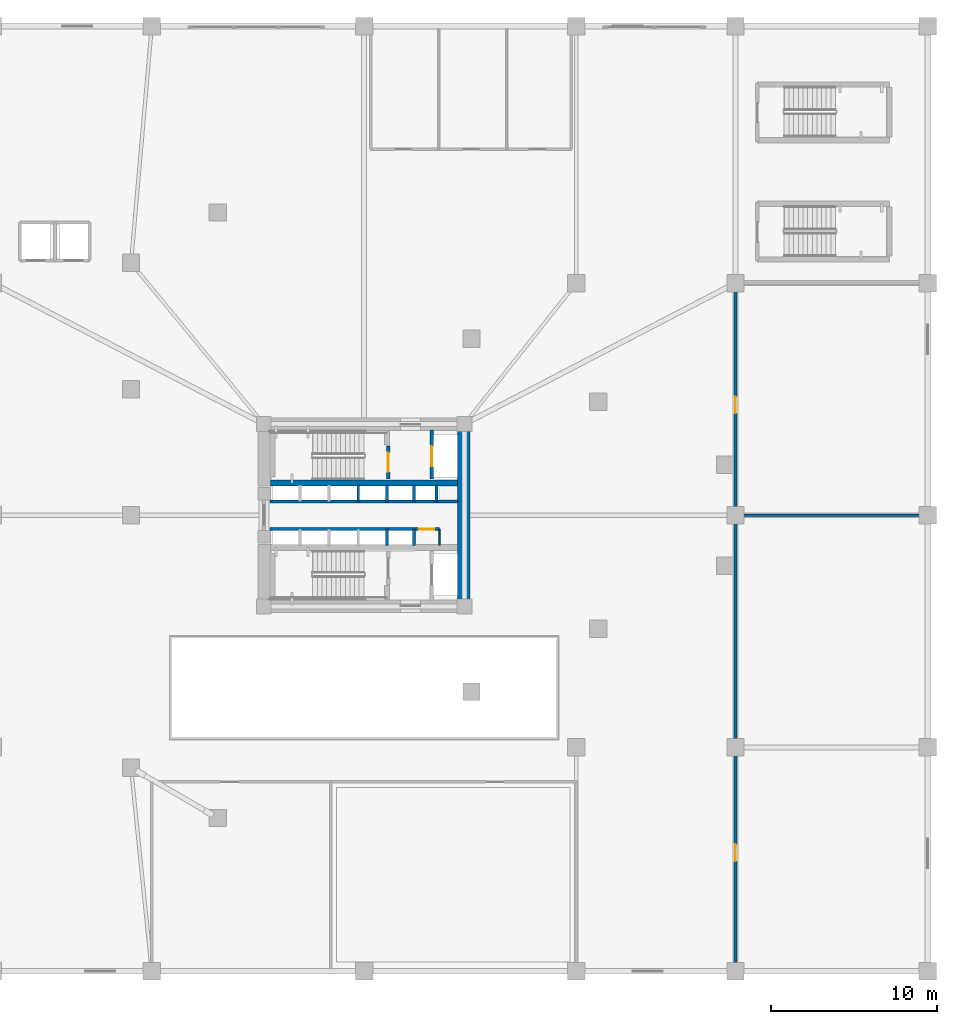
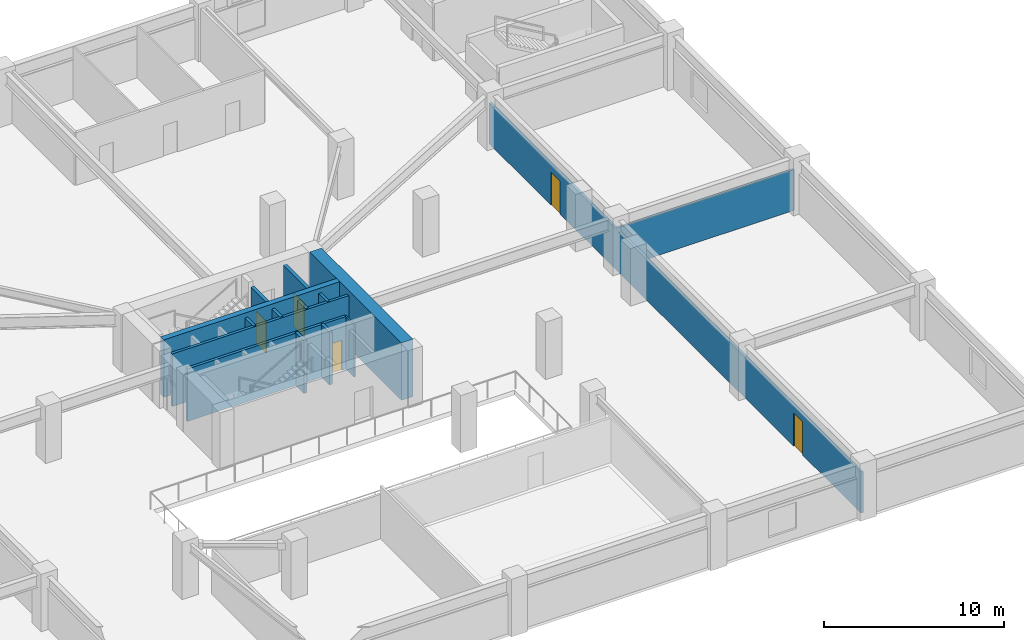
# One storey, part 5 of 16: 15 walls, 5 doors, 5 openings.
"""IFC4 building model written with IfcOpenShell, lengths in metres."""

import ifcopenshell
import ifcopenshell.guid

model = None  # the IFC model being written
_history = None  # IfcOwnerHistory: only IFC2X3 demands one
_inside = {}  # id of a spatial element -> (the spatial element, [elements in it])
_under = {}  # id of a project, library or spatial element -> (it, [spatial elements below it])
_declared = {}  # id of a project -> (the project, [libraries it declares])
_typed = {}  # id of a type object -> (the type object, [elements of that type])
_made_of = {}  # id of a material, layer set ... -> (it, [elements and type objects made of it])


def new_model(schema):
    """Start an empty IFC model of exactly this schema.

    Asked for "IFC4X3", IfcOpenShell would pick the latest addendum, in which some entities
    have other attributes; the version numbers below select the first issue.
    IFC2X3 requires an IfcOwnerHistory on every rooted entity: one is made here for all.
    """
    global model, _history
    if schema == "IFC4X3":
        model = ifcopenshell.file(schema_version=(4, 3, 0, 0))
    else:
        model = ifcopenshell.file(schema=schema)
    _inside.clear()
    _under.clear()
    _declared.clear()
    _typed.clear()
    _made_of.clear()
    _history = None
    if model.schema == "IFC2X3":
        org = make("IfcOrganization", Name="unknown")
        user = make(
            "IfcPersonAndOrganization",
            ThePerson=make("IfcPerson", FamilyName="unknown"),
            TheOrganization=org,
        )
        app = make(
            "IfcApplication",
            ApplicationDeveloper=org,
            Version="unknown",
            ApplicationFullName="unknown",
            ApplicationIdentifier="unknown",
        )
        _history = make(
            "IfcOwnerHistory",
            OwningUser=user,
            OwningApplication=app,
            ChangeAction="ADDED",
            CreationDate=0,
        )
    return model


def make(cls, **values):
    """One entity of the class cls with the attributes given. An attribute that is None is left unset."""
    return model.create_entity(
        cls, **{name: value for name, value in values.items() if value is not None}
    )


def rooted(cls, **values):
    """An entity with a GlobalId (a new one), such as an element, a storey or a relation."""
    return make(cls, GlobalId=ifcopenshell.guid.new(), OwnerHistory=_history, **values)


def si_unit(unit_type, name, prefix=None):
    """IfcSIUnit, for example si_unit("LENGTHUNIT", "METRE", prefix="MILLI")."""
    return make("IfcSIUnit", UnitType=unit_type, Prefix=prefix, Name=name)


def assignment(units):
    """IfcUnitAssignment: the units of a project."""
    return None if units is None else make("IfcUnitAssignment", Units=units)


def point(xyz):
    """IfcCartesianPoint."""
    return None if xyz is None else make("IfcCartesianPoint", Coordinates=xyz)


def direction(xyz):
    """IfcDirection."""
    return None if xyz is None else make("IfcDirection", DirectionRatios=xyz)


def frame(location, z_axis=None, x_axis=None):
    """IfcAxis2Placement3D, a coordinate frame: its origin and axes. An axis left out is left unset."""
    return make(
        "IfcAxis2Placement3D",
        Location=point(location),
        Axis=direction(z_axis),
        RefDirection=direction(x_axis),
    )


def frame_2d(location, x_axis=None):
    """IfcAxis2Placement2D, a coordinate frame in the plane: its origin and x axis."""
    return make(
        "IfcAxis2Placement2D", Location=point(location), RefDirection=direction(x_axis)
    )


def origin():
    """The frame at (0, 0, 0) with its axes left unset."""
    return frame((0.0, 0.0, 0.0))


def place(relative_to, where):
    """IfcLocalPlacement: puts the frame where relative to a parent placement (None: the world)."""
    return make(
        "IfcLocalPlacement", PlacementRelTo=relative_to, RelativePlacement=where
    )


def context(
    kind, dimensions, precision=None, world=None, true_north=None, identifier=None
):
    """IfcGeometricRepresentationContext, for example the 3D "Model" context."""
    return make(
        "IfcGeometricRepresentationContext",
        ContextIdentifier=identifier,
        ContextType=kind,
        CoordinateSpaceDimension=dimensions,
        Precision=precision,
        WorldCoordinateSystem=world,
        TrueNorth=true_north,
    )


def subcontext(parent, identifier, kind, view, scale=None):
    """IfcGeometricRepresentationSubContext, for example "Body" below "Model"."""
    return make(
        "IfcGeometricRepresentationSubContext",
        ContextIdentifier=identifier,
        ContextType=kind,
        ParentContext=parent,
        TargetScale=scale,
        TargetView=view,
    )


def project(units=None, contexts=None):
    """IfcProject with its units and contexts."""
    return rooted(
        "IfcProject",
        Name="project",
        RepresentationContexts=contexts,
        UnitsInContext=assignment(units),
    )


def spatial(cls, under=None, at=None, **own):
    """A site, building, storey or space (cls), placed at a placement, below another one or the project."""
    s = rooted(cls, ObjectPlacement=at, **own)
    if under is not None:
        _under.setdefault(under.id(), (under, []))[1].append(s)
    return s


def profile(cls, at=None, kind="AREA", **sizes):
    """A parametric profile (cls). Its sizes go by their IFC names, for example OverallWidth=200.0."""
    return make(cls, ProfileType=kind, Position=at, **sizes)


def rectangle(**sizes):
    """IfcRectangleProfileDef."""
    return profile("IfcRectangleProfileDef", **sizes)


def extrude(swept, where, along, depth):
    """IfcExtrudedAreaSolid: the profile swept, set in the frame where, extruded along a direction by depth."""
    return make(
        "IfcExtrudedAreaSolid",
        SweptArea=swept,
        Position=where,
        ExtrudedDirection=direction(along),
        Depth=depth,
    )


def shape(context_of_items, identifier, shape_type, items):
    """IfcShapeRepresentation: the items that make up one representation, for example the "Body"."""
    return make(
        "IfcShapeRepresentation",
        ContextOfItems=context_of_items,
        RepresentationIdentifier=identifier,
        RepresentationType=shape_type,
        Items=items,
    )


def material(Name=None, Category=None):
    """IfcMaterial."""
    return make("IfcMaterial", Name=Name, Category=Category)


def layer(
    of_material, thickness, ventilated=None, Name=None, Category=None, Priority=None
):
    """IfcMaterialLayer: one layer of a wall or slab, of a material (None: an air gap)."""
    return make(
        "IfcMaterialLayer",
        Material=of_material,
        LayerThickness=thickness,
        IsVentilated=ventilated,
        Name=Name,
        Category=Category,
        Priority=Priority,
    )


def layer_set(layers, Name=None):
    """IfcMaterialLayerSet."""
    return make("IfcMaterialLayerSet", MaterialLayers=layers, LayerSetName=Name)


def made_of(thing, what):
    """Note that an element or type object is made of a material, layer set ...; save() writes the relation."""
    if what is not None:
        _made_of.setdefault(what.id(), (what, []))[1].append(thing)
    return thing


def type_object(cls, material=None, **own):
    """A type object (cls), such as IfcWallType, which elements share."""
    return made_of(rooted(cls, **own), material)


def element(
    cls,
    number,
    at=None,
    inside=None,
    cuts=None,
    type_object=None,
    material=None,
    context=None,
    identifier="Body",
    shape_type=None,
    held_by="IfcProductDefinitionShape",
    body=None,
    shapes=None,
    **own,
):
    """One element of the class cls, such as IfcWall. Its Tag is "e" and its number.

    at: its placement. inside: the storey or other place that contains it. cuts: it is an
    opening in that element (IfcRelVoidsElement). A single representation is given by context,
    identifier, shape_type and body (its items); several are given by shapes. held_by: the class
    of the entity that holds the representations. save() writes the other relations.
    """
    e = rooted(cls, Tag="e%d" % number, ObjectPlacement=at, **own)
    if body is not None:
        shapes = [shape(context, identifier, shape_type, body)]
    if shapes is not None:
        e.Representation = make(held_by, Representations=shapes)
    if inside is not None:
        _inside.setdefault(inside.id(), (inside, []))[1].append(e)
    if cuts is not None:
        rooted(
            "IfcRelVoidsElement", RelatingBuildingElement=cuts, RelatedOpeningElement=e
        )
    if type_object is not None:
        _typed.setdefault(type_object.id(), (type_object, []))[1].append(e)
    return made_of(e, material)


def fill(opening, filler):
    """IfcRelFillsElement: the door or window that sits in an opening."""
    return rooted(
        "IfcRelFillsElement",
        RelatingOpeningElement=opening,
        RelatedBuildingElement=filler,
    )


def aggregate(whole, parts):
    """IfcRelAggregates: a whole, such as a stair, and the parts it consists of."""
    return rooted("IfcRelAggregates", RelatingObject=whole, RelatedObjects=parts)


def save(model, path):
    """Write the relations noted so far, then the file.

    IfcRelAggregates (storeys below a building ...), IfcRelContainedInSpatialStructure (elements
    in a storey), IfcRelDefinesByType, IfcRelAssociatesMaterial and IfcRelDeclares: one each for
    every whole, place, type object, material and project.
    """
    for whole, parts in _under.values():
        aggregate(whole, parts)
    for where, things in _inside.values():
        rooted(
            "IfcRelContainedInSpatialStructure",
            RelatedElements=things,
            RelatingStructure=where,
        )
    for kind, things in _typed.values():
        rooted("IfcRelDefinesByType", RelatedObjects=things, RelatingType=kind)
    for what, things in _made_of.values():
        rooted("IfcRelAssociatesMaterial", RelatedObjects=things, RelatingMaterial=what)
    for by, libraries in _declared.values():
        rooted("IfcRelDeclares", RelatingContext=by, RelatedDefinitions=libraries)
    model.write(path)


model = new_model("IFC4")

# Units and contexts
model_context = context("Model", 3, precision=1e-05, world=origin(), true_north=direction((0.0, 1.0)))
body_context = subcontext(model_context, "Body", "Model", "MODEL_VIEW")
ifc_project = project(units=[si_unit("LENGTHUNIT", "METRE"), si_unit("AREAUNIT", "SQUARE_METRE"), si_unit("VOLUMEUNIT", "CUBIC_METRE"), si_unit("PLANEANGLEUNIT", "RADIAN"), si_unit("MASSUNIT", "GRAM", prefix="KILO")], contexts=[model_context])

# Site, building, storey
site_placement = place(None, origin())
site = spatial("IfcSite", under=ifc_project, at=site_placement, CompositionType="ELEMENT")
building_placement = place(site_placement, origin())
building = spatial("IfcBuilding", under=site, at=building_placement, Name="Yunling Apex Tower", CompositionType="ELEMENT")
storey_placement = place(building_placement, frame((0.0, 0.0, 4.5)))
storey = spatial("IfcBuildingStorey", under=building, at=storey_placement, Name="L02", CompositionType="ELEMENT", Elevation=4.5)

# Walls
ifc_material_1 = material(Name="Concrete C60", Category="concrete")
ifc_layer_1 = layer(ifc_material_1, 0.75)
ifc_layer_set_1 = layer_set([ifc_layer_1], Name="Concrete C60")
wall_type_1 = type_object("IfcWallType", Name="WL-COR-1", PredefinedType="SHEAR", material=ifc_layer_set_1)
wall_1_placement = place(storey_placement, frame((6.02490234375, -5.10009765625, 0.0), z_axis=(0.0, 0.0, 1.0), x_axis=(0.0, 1.0, 0.0)))
element("IfcWall", 1, at=wall_1_placement, inside=storey, type_object=wall_type_1, Name="L02 East Core Shear Wall", PredefinedType="SHEAR", context=body_context, shape_type="SweptSolid", body=[
    extrude(rectangle(XDim=10.2001953125, YDim=0.75, at=frame_2d((5.10009765625, 0.0))), origin(), (0.0, 0.0, 1.0), 3.89990234375),
])
ifc_material_2 = material(Name="Concrete C40", Category="concrete")
ifc_layer_2 = layer(ifc_material_2, 0.360107421875)
ifc_layer_set_2 = layer_set([ifc_layer_2], Name="Concrete C40")
wall_type_2 = type_object("IfcWallType", Name="WL-COR-4", PredefinedType="SHEAR", material=ifc_layer_set_2)
wall_2_placement = place(storey_placement, frame((-5.64990234375, 1.93994140625, 0.0), z_axis=(0.0, 0.0, 1.0), x_axis=(1.0, 0.0, 0.0)))
element("IfcWall", 2, at=wall_2_placement, inside=storey, type_object=wall_type_2, Name="L02 North Internal Core Shear Wall", PredefinedType="SHEAR", context=body_context, shape_type="SweptSolid", body=[
    extrude(rectangle(XDim=11.2998046875, YDim=0.360107421875, at=frame_2d((5.64990234375, 0.0))), origin(), (0.0, 0.0, 1.0), 3.89990234375),
])

# Wall, openings, doors
ifc_material_3 = material(Name="Gypsum board acoustic partition")
ifc_layer_3 = layer(ifc_material_3, 0.159912109375)
ifc_layer_set_3 = layer_set([ifc_layer_3], Name="Gypsum board acoustic partition")
wall_type_3 = type_object("IfcWallType", Name="WL-PRT-1", PredefinedType="PARTITIONING", material=ifc_layer_set_3)
wall_3_placement = place(storey_placement, frame((22.39990234375, -27.35009765625, 0.0), z_axis=(0.0, 0.0, 1.0), x_axis=(0.0, 1.0, 0.0)))
wall_3 = element("IfcWall", 3, at=wall_3_placement, inside=storey, type_object=wall_type_3, Name="WL-L02-EW", PredefinedType="PARTITIONING", context=body_context, shape_type="SweptSolid", body=[
    extrude(rectangle(XDim=41.35009765625, YDim=0.159912109375, at=frame_2d((20.675048828125, 0.0))), origin(), (0.0, 0.0, 1.0), 2.77490234375),
])
opening_1_placement = place(wall_3_placement, frame((6.5, 0.0, 0.0)))
opening_1 = element("IfcOpeningElement", 4, at=opening_1_placement, cuts=wall_3, Name="Opening DR-OFF-1", PredefinedType="OPENING", context=body_context, shape_type="SweptSolid", body=[
    extrude(rectangle(XDim=1.0, YDim=2.25, at=frame_2d((0.5, 1.125))), frame((0.0, 0.08984375, 0.0), z_axis=(0.0, -1.0, 0.0), x_axis=(1.0, 0.0, 0.0)), (0.0, 0.0, 1.0), 0.179931640625),
])
opening_2_placement = place(wall_3_placement, frame((33.5, 0.0, 0.0)))
opening_2 = element("IfcOpeningElement", 5, at=opening_2_placement, cuts=wall_3, Name="Opening DR-OFF-1", PredefinedType="OPENING", context=body_context, shape_type="SweptSolid", body=[
    extrude(rectangle(XDim=1.0, YDim=2.25, at=frame_2d((0.5, 1.125))), frame((0.0, 0.08984375, 0.0), z_axis=(0.0, -1.0, 0.0), x_axis=(1.0, 0.0, 0.0)), (0.0, 0.0, 1.0), 0.179931640625),
])
ifc_material_4 = material(Name="Bronze anodised aluminium", Category="aluminium")
door_type_1 = type_object("IfcDoorType", Name="DR-OFF-1", OperationType="NOTDEFINED", PredefinedType="DOOR", material=ifc_material_4)
door_1_placement = place(opening_1_placement, origin())
door_1 = element("IfcDoor", 6, at=door_1_placement, inside=storey, type_object=door_type_1, Name="L02 East Retail Boutique Door", OperationType="SINGLE_SWING_RIGHT", OverallHeight=2.25, OverallWidth=1.0, PredefinedType="DOOR", context=body_context, shape_type="SweptSolid", body=[
    extrude(rectangle(XDim=1.0, YDim=2.25, at=frame_2d((0.5, 1.125))), frame((0.0, 0.02490234375, 0.0), z_axis=(0.0, -1.0, 0.0), x_axis=(1.0, 0.0, 0.0)), (0.0, 0.0, 1.0), 0.050048828125),
])
fill(opening_1, door_1)
door_2_placement = place(opening_2_placement, origin())
door_2 = element("IfcDoor", 7, at=door_2_placement, inside=storey, type_object=door_type_1, Name="L02 Business Club Lounge Door", OperationType="SINGLE_SWING_LEFT", OverallHeight=2.25, OverallWidth=1.0, PredefinedType="DOOR", context=body_context, shape_type="SweptSolid", body=[
    extrude(rectangle(XDim=1.0, YDim=2.25, at=frame_2d((0.5, 1.125))), frame((0.0, 0.02490234375, 0.0), z_axis=(0.0, -1.0, 0.0), x_axis=(1.0, 0.0, 0.0)), (0.0, 0.0, 1.0), 0.050048828125),
])
fill(opening_2, door_2)

# Walls
ifc_layer_4 = layer(ifc_material_3, 0.139892578125)
ifc_layer_set_4 = layer_set([ifc_layer_4], Name="Gypsum board acoustic partition")
wall_type_4 = type_object("IfcWallType", Name="WL-PRT-2", PredefinedType="PARTITIONING", material=ifc_layer_set_4)
wall_4_placement = place(storey_placement, frame((22.39990234375, 0.0, 0.0), z_axis=(0.0, 0.0, 1.0), x_axis=(1.0, 0.0, 0.0)))
element("IfcWall", 8, at=wall_4_placement, inside=storey, type_object=wall_type_4, Name="WL-L02-EM", PredefinedType="PARTITIONING", context=body_context, shape_type="SweptSolid", body=[
    extrude(rectangle(XDim=11.400146484375, YDim=0.139892578125, at=frame_2d((5.7001953125, 0.0))), origin(), (0.0, 0.0, 1.0), 2.77490234375),
])
ifc_layer_5 = layer(ifc_material_3, 0.10009765625)
ifc_layer_set_5 = layer_set([ifc_layer_5], Name="Gypsum board acoustic partition")
wall_type_5 = type_object("IfcWallType", Name="WL-PRT-4", PredefinedType="PARTITIONING", material=ifc_layer_set_5)
wall_5_placement = place(storey_placement, frame((4.5400390625, -1.820068359375, 0.0), z_axis=(0.0, 0.0, 1.0), x_axis=(0.0, 1.0, 0.0)))
element("IfcWall", 9, at=wall_5_placement, inside=storey, type_object=wall_type_5, Name="WL-KASE-E-L02", PredefinedType="PARTITIONING", context=body_context, shape_type="SweptSolid", body=[
    extrude(rectangle(XDim=0.97998046875, YDim=0.10009765625, at=frame_2d((0.489990234375, 0.0))), origin(), (0.0, 0.0, 1.0), 3.570068359375),
])

# Wall, opening, door
ifc_material_5 = material(Name="Autoclaved aerated concrete masonry", Category="masonry")
ifc_layer_6 = layer(ifc_material_5, 0.219970703125)
ifc_layer_set_6 = layer_set([ifc_layer_6], Name="Autoclaved aerated concrete masonry")
wall_type_6 = type_object("IfcWallType", Name="WL-SHF-1", PredefinedType="PLUMBINGWALL", material=ifc_layer_set_6)
wall_6_placement = place(storey_placement, frame((1.449951171875, 2.199951171875, 0.0), z_axis=(0.0, 0.0, 1.0), x_axis=(0.0, 1.0, 0.0)))
wall_6 = element("IfcWall", 10, at=wall_6_placement, inside=storey, type_object=wall_type_6, Name="WL-ST1-E-L02", PredefinedType="PLUMBINGWALL", context=body_context, shape_type="SweptSolid", body=[
    extrude(rectangle(XDim=1.97998046875, YDim=0.219970703125, at=frame_2d((0.989990234375, 0.0))), origin(), (0.0, 0.0, 1.0), 3.570068359375),
])
opening_3_placement = place(wall_6_placement, frame((0.419921875, 0.0, 0.0)))
opening_3 = element("IfcOpeningElement", 11, at=opening_3_placement, cuts=wall_6, Name="Opening DR-ST-1", PredefinedType="OPENING", context=body_context, shape_type="SweptSolid", body=[
    extrude(rectangle(XDim=1.14990234375, YDim=2.14990234375, at=frame_2d((0.574951171875, 1.074951171875))), frame((0.0, 0.1201171875, 0.0), z_axis=(0.0, -1.0, 0.0), x_axis=(1.0, 0.0, 0.0)), (0.0, 0.0, 1.0), 0.239990234375),
])
ifc_material_6 = material(Name="Steel Q355B", Category="steel")
door_type_2 = type_object("IfcDoorType", Name="DR-ST-1", OperationType="NOTDEFINED", PredefinedType="DOOR", material=ifc_material_6)
door_3_placement = place(opening_3_placement, origin())
door_3 = element("IfcDoor", 12, at=door_3_placement, inside=storey, type_object=door_type_2, Name="L02 Stair ST-1 Fire Door", OperationType="SINGLE_SWING_RIGHT", OverallHeight=2.14990234375, OverallWidth=1.14990234375, PredefinedType="DOOR", context=body_context, shape_type="SweptSolid", body=[
    extrude(rectangle(XDim=1.14990234375, YDim=2.14990234375, at=frame_2d((0.574951171875, 1.074951171875))), frame((0.0, 0.02490234375, 0.0), z_axis=(0.0, -1.0, 0.0), x_axis=(1.0, 0.0, 0.0)), (0.0, 0.0, 1.0), 0.050048828125),
])
fill(opening_3, door_3)

wall_7_placement = place(storey_placement, frame((4.080078125, 2.199951171875, 0.0), z_axis=(0.0, 0.0, 1.0), x_axis=(0.0, 1.0, 0.0)))
wall_7 = element("IfcWall", 13, at=wall_7_placement, inside=storey, type_object=wall_type_6, Name="WL-FFL1-W-L02", PredefinedType="PLUMBINGWALL", context=body_context, shape_type="SweptSolid", body=[
    extrude(rectangle(XDim=2.949951171875, YDim=0.219970703125, at=frame_2d((1.47509765625, 0.0))), origin(), (0.0, 0.0, 1.0), 3.570068359375),
])
opening_4_placement = place(wall_7_placement, frame((0.75, 0.0, 0.0)))
opening_4 = element("IfcOpeningElement", 14, at=opening_4_placement, cuts=wall_7, Name="Opening LD-FFL-1", PredefinedType="OPENING", context=body_context, shape_type="SweptSolid", body=[
    extrude(rectangle(XDim=1.199951171875, YDim=2.25, at=frame_2d((0.60009765625, 1.125))), frame((0.0, 0.1201171875, 0.0), z_axis=(0.0, -1.0, 0.0), x_axis=(1.0, 0.0, 0.0)), (0.0, 0.0, 1.0), 0.239990234375),
])
door_type_3 = type_object("IfcDoorType", Name="LD-FFL-1", OperationType="DOUBLE_DOOR_SLIDING", PredefinedType="DOOR", material=ifc_material_6)
door_4_placement = place(opening_4_placement, origin())
door_4 = element("IfcDoor", 15, at=door_4_placement, inside=storey, type_object=door_type_3, Name="L02 Lift FFL-1 Landing Door", OperationType="DOUBLE_DOOR_SLIDING", OverallHeight=2.25, OverallWidth=1.199951171875, PredefinedType="DOOR", context=body_context, shape_type="SweptSolid", body=[
    extrude(rectangle(XDim=1.199951171875, YDim=2.25, at=frame_2d((0.60009765625, 1.125))), frame((0.0, 0.02490234375, 0.0), z_axis=(0.0, -1.0, 0.0), x_axis=(1.0, 0.0, 0.0)), (0.0, 0.0, 1.0), 0.050048828125),
])
fill(opening_4, door_4)

# Walls
ifc_layer_7 = layer(ifc_material_5, 0.179931640625)
ifc_layer_set_7 = layer_set([ifc_layer_7], Name="Autoclaved aerated concrete masonry")
wall_type_7 = type_object("IfcWallType", Name="WL-SHF-2", PredefinedType="PLUMBINGWALL", material=ifc_layer_set_7)
for number, where, z_axis, x_axis, name in (
    (16, (-0.35009765625, 0.840087890625, 0.0), (0.0, 0.0, 1.0), (0.0, 1.0, 0.0), "WL-DIV-M12-L02"),
    (17, (1.3798828125, 0.840087890625, 0.0), (0.0, 0.0, 1.0), (0.0, 1.0, 0.0), "WL-BNK-MH-N-L02"),
    (18, (1.3798828125, -1.820068359375, 0.0), (0.0, 0.0, 1.0), (0.0, 1.0, 0.0), "WL-BNK-MH-S-L02"),
    (19, (3.02001953125, 0.840087890625, 0.0), (0.0, 0.0, 1.0), (0.0, 1.0, 0.0), "WL-DIV-H13-L02"),
    (20, (4.3798828125, 0.840087890625, 0.0), (0.0, 0.0, 1.0), (0.0, 1.0, 0.0), "WL-END-H3E-L02"),
    (21, (3.02001953125, -1.820068359375, 0.0), (0.0, 0.0, 1.0), (0.0, 1.0, 0.0), "WL-END-H2E-L02"),
):
    element("IfcWall", number, at=place(storey_placement, frame(where, z_axis=z_axis, x_axis=x_axis)), inside=storey, type_object=wall_type_7, Name=name, PredefinedType="PLUMBINGWALL", context=body_context, shape_type="SweptSolid", body=[
        extrude(rectangle(XDim=0.97998046875, YDim=0.179931640625, at=frame_2d((0.489990234375, 0.0))), origin(), (0.0, 0.0, 1.0), 3.570068359375),
    ])
wall_8_placement = place(storey_placement, frame((-5.679931640625, 0.840087890625, 0.0), z_axis=(0.0, 0.0, 1.0), x_axis=(1.0, 0.0, 0.0)))
element("IfcWall", 22, at=wall_8_placement, inside=storey, type_object=wall_type_7, Name="WL-LOB-N-L02", PredefinedType="PLUMBINGWALL", context=body_context, shape_type="SweptSolid", body=[
    extrude(rectangle(XDim=11.329833984375, YDim=0.179931640625, at=frame_2d((5.6650390625, 0.0))), origin(), (0.0, 0.0, 1.0), 3.570068359375),
])

# Wall, opening, door
wall_9_placement = place(storey_placement, frame((-5.679931640625, -0.840087890625, 0.0), z_axis=(0.0, 0.0, 1.0), x_axis=(1.0, 0.0, 0.0)))
wall_9 = element("IfcWall", 23, at=wall_9_placement, inside=storey, type_object=wall_type_7, Name="WL-LOB-S-L02", PredefinedType="PLUMBINGWALL", context=body_context, shape_type="SweptSolid", body=[
    extrude(rectangle(XDim=10.219970703125, YDim=0.179931640625, at=frame_2d((5.10986328125, 0.0))), origin(), (0.0, 0.0, 1.0), 3.570068359375),
])
opening_5_placement = place(wall_9_placement, frame((9.02001953125, 0.0, 0.0)))
opening_5 = element("IfcOpeningElement", 24, at=opening_5_placement, cuts=wall_9, Name="Opening DR-SHF-1", PredefinedType="OPENING", context=body_context, shape_type="SweptSolid", body=[
    extrude(rectangle(XDim=0.89990234375, YDim=2.050048828125, at=frame_2d((0.449951171875, 1.02490234375))), frame((0.0, 0.10009765625, 0.0), z_axis=(0.0, -1.0, 0.0), x_axis=(1.0, 0.0, 0.0)), (0.0, 0.0, 1.0), 0.199951171875),
])
door_type_4 = type_object("IfcDoorType", Name="DR-SHF-1", OperationType="NOTDEFINED", PredefinedType="DOOR", material=ifc_material_6)
door_5_placement = place(opening_5_placement, origin())
door_5 = element("IfcDoor", 25, at=door_5_placement, inside=storey, type_object=door_type_4, Name="L02 Core Electrical Room Door", OperationType="SINGLE_SWING_RIGHT", OverallHeight=2.050048828125, OverallWidth=0.89990234375, PredefinedType="DOOR", context=body_context, shape_type="SweptSolid", body=[
    extrude(rectangle(XDim=0.89990234375, YDim=2.050048828125, at=frame_2d((0.449951171875, 1.02490234375))), frame((0.0, 0.02490234375, 0.0), z_axis=(0.0, -1.0, 0.0), x_axis=(1.0, 0.0, 0.0)), (0.0, 0.0, 1.0), 0.050048828125),
])
fill(opening_5, door_5)

save(model, "model.ifc")
